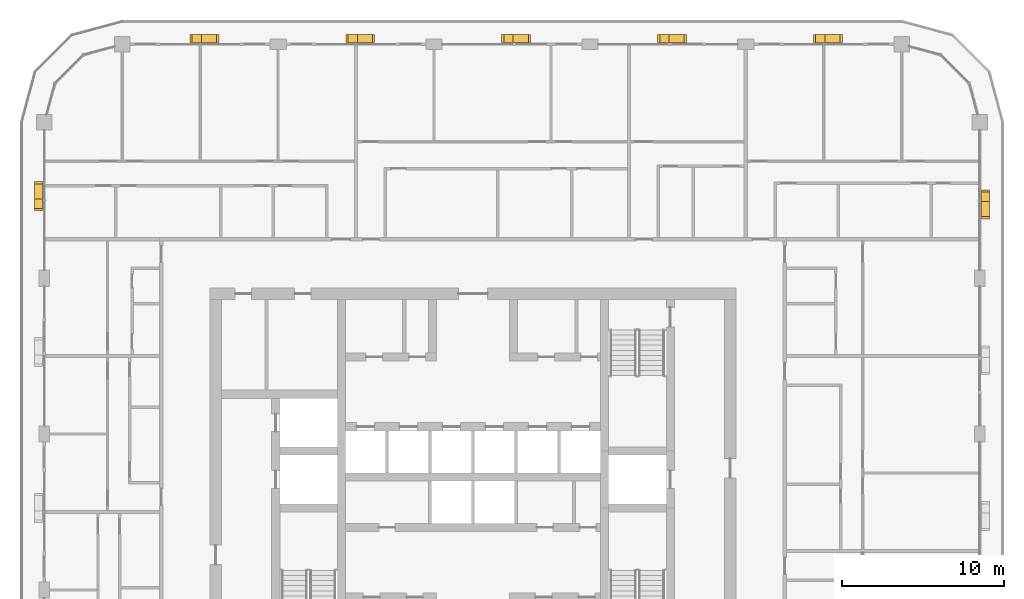
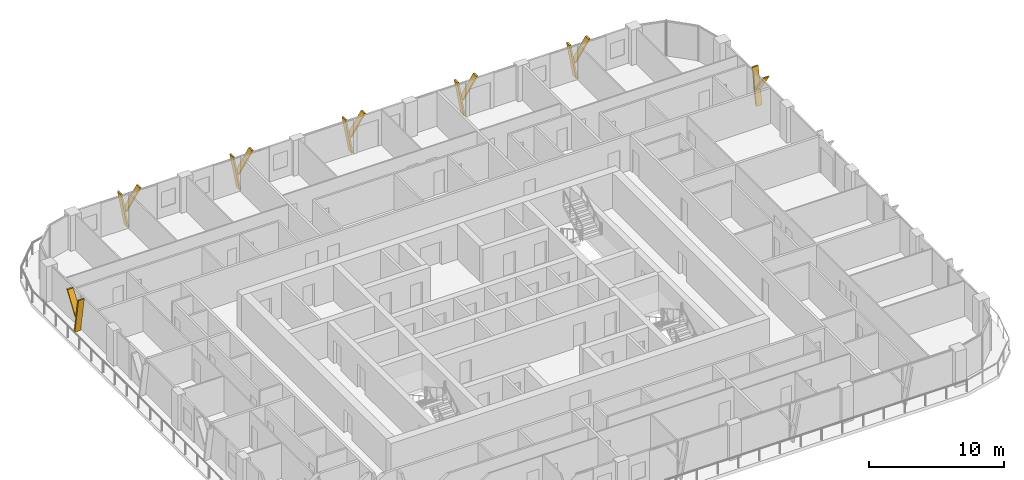
# One storey, part 23 of 23: 14 shading devices.
"""IFC4 building model written with IfcOpenShell, lengths in metres."""

from ifc_helpers import new_model, si_unit, direction, frame, origin, place, context, subcontext, project, spatial, polyline, outline, extrude, material, type_object, element, save


model = new_model("IFC4")

# Units and contexts
model_context = context("Model", 3, precision=1e-05, world=origin(), true_north=direction((0.0, 1.0)))
body_context = subcontext(model_context, "Body", "Model", "MODEL_VIEW")
ifc_project = project(units=[si_unit("LENGTHUNIT", "METRE"), si_unit("AREAUNIT", "SQUARE_METRE"), si_unit("VOLUMEUNIT", "CUBIC_METRE"), si_unit("PLANEANGLEUNIT", "RADIAN"), si_unit("MASSUNIT", "GRAM", prefix="KILO")], contexts=[model_context])

# Site, building, storey
site_placement = place(None, origin())
site = spatial("IfcSite", under=ifc_project, at=site_placement, CompositionType="ELEMENT")
building_placement = place(site_placement, origin())
building = spatial("IfcBuilding", under=site, at=building_placement, Name="Madar Terraces", CompositionType="ELEMENT")
storey_placement = place(building_placement, frame((0.0, 0.0, 215.800048828125)))
storey = spatial("IfcBuildingStorey", under=building, at=storey_placement, Name="L56", CompositionType="ELEMENT", Elevation=215.800048828125)

# Shading devices
ifc_material = material(Name="Aluminium, black anodised", Category="aluminium")
shading_device_type = type_object("IfcShadingDeviceType", Name="Facade fin blade 140 x 500", PredefinedType="USERDEFINED", material=ifc_material)
shading_device_1_placement = place(storey_placement, frame((62.75, 43.1298828125, 0.0), z_axis=(0.0, 0.0, 1.0), x_axis=(0.0, 1.0, 0.0)))
element("IfcShadingDevice", 1, at=shading_device_1_placement, inside=storey, type_object=shading_device_type, Name="FIN L56 E4", ObjectType="FIN", PredefinedType="USERDEFINED", context=body_context, shape_type="SweptSolid", body=[
    extrude(outline(polyline([(0.0, 0.0), (0.14013671875, 0.0), (0.704345703125, 3.199951171875), (0.564208984375, 3.199951171875), (0.0, 0.0)])), frame((0.0, 0.25, 0.0), z_axis=(0.0, -1.0, 0.0), x_axis=(1.0, 0.0, 0.0)), (0.0, 0.0, 1.0), 0.5),
])
shading_device_2_placement = place(storey_placement, frame((62.75, 43.243896484375, 1.43994140625), z_axis=(0.0, 0.0, 1.0), x_axis=(0.0, 1.0, 0.0)))
element("IfcShadingDevice", 2, at=shading_device_2_placement, inside=storey, type_object=shading_device_type, Name="FIN L56 E4 branch", ObjectType="FIN", PredefinedType="USERDEFINED", context=body_context, shape_type="SweptSolid", body=[
    extrude(outline(polyline([(0.0, 0.0), (0.139892578125, 0.0), (-1.049560546875, 1.760009765625), (-1.189697265625, 1.760009765625), (0.0, 0.0)])), frame((0.0, 0.25, 0.0), z_axis=(0.0, -1.0, 0.0), x_axis=(1.0, 0.0, 0.0)), (0.0, 0.0, 1.0), 0.5),
])
shading_device_3_placement = place(storey_placement, frame((52.8701171875, 53.14990234375, 0.0), z_axis=(0.0, 0.0, 1.0), x_axis=(-1.0, 0.0, 0.0)))
element("IfcShadingDevice", 3, at=shading_device_3_placement, inside=storey, type_object=shading_device_type, Name="FIN L56 N1", ObjectType="FIN", PredefinedType="USERDEFINED", context=body_context, shape_type="SweptSolid", body=[
    extrude(outline(polyline([(0.0, 0.0), (0.14013671875, 0.0), (0.704345703125, 3.199951171875), (0.564208984375, 3.199951171875), (0.0, 0.0)])), frame((0.0, 0.25, 0.0), z_axis=(0.0, -1.0, 0.0), x_axis=(1.0, 0.0, 0.0)), (0.0, 0.0, 1.0), 0.5),
])
shading_device_4_placement = place(storey_placement, frame((52.756103515625, 53.14990234375, 1.43994140625), z_axis=(0.0, 0.0, 1.0), x_axis=(-1.0, 0.0, 0.0)))
element("IfcShadingDevice", 4, at=shading_device_4_placement, inside=storey, type_object=shading_device_type, Name="FIN L56 N1 branch", ObjectType="FIN", PredefinedType="USERDEFINED", context=body_context, shape_type="SweptSolid", body=[
    extrude(outline(polyline([(0.0, 0.0), (0.139892578125, 0.0), (-1.049560546875, 1.760009765625), (-1.189697265625, 1.760009765625), (0.0, 0.0)])), frame((0.0, 0.25, 0.0), z_axis=(0.0, -1.0, 0.0), x_axis=(1.0, 0.0, 0.0)), (0.0, 0.0, 1.0), 0.5),
])
shading_device_5_placement = place(storey_placement, frame((43.27001953125, 53.14990234375, 0.0), z_axis=(0.0, 0.0, 1.0), x_axis=(-1.0, 0.0, 0.0)))
element("IfcShadingDevice", 5, at=shading_device_5_placement, inside=storey, type_object=shading_device_type, Name="FIN L56 N2", ObjectType="FIN", PredefinedType="USERDEFINED", context=body_context, shape_type="SweptSolid", body=[
    extrude(outline(polyline([(0.0, 0.0), (0.14013671875, 0.0), (0.704345703125, 3.199951171875), (0.564208984375, 3.199951171875), (0.0, 0.0)])), frame((0.0, 0.25, 0.0), z_axis=(0.0, -1.0, 0.0), x_axis=(1.0, 0.0, 0.0)), (0.0, 0.0, 1.0), 0.5),
])
shading_device_6_placement = place(storey_placement, frame((43.156005859375, 53.14990234375, 1.43994140625), z_axis=(0.0, 0.0, 1.0), x_axis=(-1.0, 0.0, 0.0)))
element("IfcShadingDevice", 6, at=shading_device_6_placement, inside=storey, type_object=shading_device_type, Name="FIN L56 N2 branch", ObjectType="FIN", PredefinedType="USERDEFINED", context=body_context, shape_type="SweptSolid", body=[
    extrude(outline(polyline([(0.0, 0.0), (0.139892578125, 0.0), (-1.049560546875, 1.760009765625), (-1.189697265625, 1.760009765625), (0.0, 0.0)])), frame((0.0, 0.25, 0.0), z_axis=(0.0, -1.0, 0.0), x_axis=(1.0, 0.0, 0.0)), (0.0, 0.0, 1.0), 0.5),
])
shading_device_7_placement = place(storey_placement, frame((33.669921875, 53.14990234375, 0.0), z_axis=(0.0, 0.0, 1.0), x_axis=(-1.0, 0.0, 0.0)))
element("IfcShadingDevice", 7, at=shading_device_7_placement, inside=storey, type_object=shading_device_type, Name="FIN L56 N3", ObjectType="FIN", PredefinedType="USERDEFINED", context=body_context, shape_type="SweptSolid", body=[
    extrude(outline(polyline([(0.0, 0.0), (0.139892578125, 0.0), (0.704345703125, 3.199951171875), (0.564208984375, 3.199951171875), (0.0, 0.0)])), frame((0.0, 0.25, 0.0), z_axis=(0.0, -1.0, 0.0), x_axis=(1.0, 0.0, 0.0)), (0.0, 0.0, 1.0), 0.5),
])
shading_device_8_placement = place(storey_placement, frame((33.55615234375, 53.14990234375, 1.43994140625), z_axis=(0.0, 0.0, 1.0), x_axis=(-1.0, 0.0, 0.0)))
element("IfcShadingDevice", 8, at=shading_device_8_placement, inside=storey, type_object=shading_device_type, Name="FIN L56 N3 branch", ObjectType="FIN", PredefinedType="USERDEFINED", context=body_context, shape_type="SweptSolid", body=[
    extrude(outline(polyline([(0.0, 0.0), (0.14013671875, 0.0), (-1.049560546875, 1.760009765625), (-1.189697265625, 1.760009765625), (0.0, 0.0)])), frame((0.0, 0.25, 0.0), z_axis=(0.0, -1.0, 0.0), x_axis=(1.0, 0.0, 0.0)), (0.0, 0.0, 1.0), 0.5),
])
shading_device_9_placement = place(storey_placement, frame((24.070068359375, 53.14990234375, 0.0), z_axis=(0.0, 0.0, 1.0), x_axis=(-1.0, 0.0, 0.0)))
element("IfcShadingDevice", 9, at=shading_device_9_placement, inside=storey, type_object=shading_device_type, Name="FIN L56 N4", ObjectType="FIN", PredefinedType="USERDEFINED", context=body_context, shape_type="SweptSolid", body=[
    extrude(outline(polyline([(0.0, 0.0), (0.14013671875, 0.0), (0.704345703125, 3.199951171875), (0.564208984375, 3.199951171875), (0.0, 0.0)])), frame((0.0, 0.25, 0.0), z_axis=(0.0, -1.0, 0.0), x_axis=(1.0, 0.0, 0.0)), (0.0, 0.0, 1.0), 0.5),
])
shading_device_10_placement = place(storey_placement, frame((23.9560546875, 53.14990234375, 1.43994140625), z_axis=(0.0, 0.0, 1.0), x_axis=(-1.0, 0.0, 0.0)))
element("IfcShadingDevice", 10, at=shading_device_10_placement, inside=storey, type_object=shading_device_type, Name="FIN L56 N4 branch", ObjectType="FIN", PredefinedType="USERDEFINED", context=body_context, shape_type="SweptSolid", body=[
    extrude(outline(polyline([(0.0, 0.0), (0.139892578125, 0.0), (-1.049560546875, 1.760009765625), (-1.189697265625, 1.760009765625), (0.0, 0.0)])), frame((0.0, 0.25, 0.0), z_axis=(0.0, -1.0, 0.0), x_axis=(1.0, 0.0, 0.0)), (0.0, 0.0, 1.0), 0.5),
])
shading_device_11_placement = place(storey_placement, frame((14.469970703125, 53.14990234375, 0.0), z_axis=(0.0, 0.0, 1.0), x_axis=(-1.0, 0.0, 0.0)))
element("IfcShadingDevice", 11, at=shading_device_11_placement, inside=storey, type_object=shading_device_type, Name="FIN L56 N5", ObjectType="FIN", PredefinedType="USERDEFINED", context=body_context, shape_type="SweptSolid", body=[
    extrude(outline(polyline([(0.0, 0.0), (0.139892578125, 0.0), (0.704345703125, 3.199951171875), (0.564208984375, 3.199951171875), (0.0, 0.0)])), frame((0.0, 0.25, 0.0), z_axis=(0.0, -1.0, 0.0), x_axis=(1.0, 0.0, 0.0)), (0.0, 0.0, 1.0), 0.5),
])
shading_device_12_placement = place(storey_placement, frame((14.356201171875, 53.14990234375, 1.43994140625), z_axis=(0.0, 0.0, 1.0), x_axis=(-1.0, 0.0, 0.0)))
element("IfcShadingDevice", 12, at=shading_device_12_placement, inside=storey, type_object=shading_device_type, Name="FIN L56 N5 branch", ObjectType="FIN", PredefinedType="USERDEFINED", context=body_context, shape_type="SweptSolid", body=[
    extrude(outline(polyline([(0.0, 0.0), (0.14013671875, 0.0), (-1.049560546875, 1.760009765625), (-1.189697265625, 1.760009765625), (0.0, 0.0)])), frame((0.0, 0.25, 0.0), z_axis=(0.0, -1.0, 0.0), x_axis=(1.0, 0.0, 0.0)), (0.0, 0.0, 1.0), 0.5),
])
shading_device_13_placement = place(storey_placement, frame((4.449951171875, 43.27001953125, 0.0), z_axis=(0.0, 0.0, 1.0), x_axis=(0.0, -1.0, 0.0)))
element("IfcShadingDevice", 13, at=shading_device_13_placement, inside=storey, type_object=shading_device_type, Name="FIN L56 W1", ObjectType="FIN", PredefinedType="USERDEFINED", context=body_context, shape_type="SweptSolid", body=[
    extrude(outline(polyline([(0.0, 0.0), (0.14013671875, 0.0), (0.704345703125, 3.199951171875), (0.564208984375, 3.199951171875), (0.0, 0.0)])), frame((0.0, 0.25, 0.0), z_axis=(0.0, -1.0, 0.0), x_axis=(1.0, 0.0, 0.0)), (0.0, 0.0, 1.0), 0.5),
])
shading_device_14_placement = place(storey_placement, frame((4.449951171875, 43.156005859375, 1.43994140625), z_axis=(0.0, 0.0, 1.0), x_axis=(0.0, -1.0, 0.0)))
element("IfcShadingDevice", 14, at=shading_device_14_placement, inside=storey, type_object=shading_device_type, Name="FIN L56 W1 branch", ObjectType="FIN", PredefinedType="USERDEFINED", context=body_context, shape_type="SweptSolid", body=[
    extrude(outline(polyline([(0.0, 0.0), (0.139892578125, 0.0), (-1.049560546875, 1.760009765625), (-1.189697265625, 1.760009765625), (0.0, 0.0)])), frame((0.0, 0.25, 0.0), z_axis=(0.0, -1.0, 0.0), x_axis=(1.0, 0.0, 0.0)), (0.0, 0.0, 1.0), 0.5),
])

save(model, "model.ifc")
